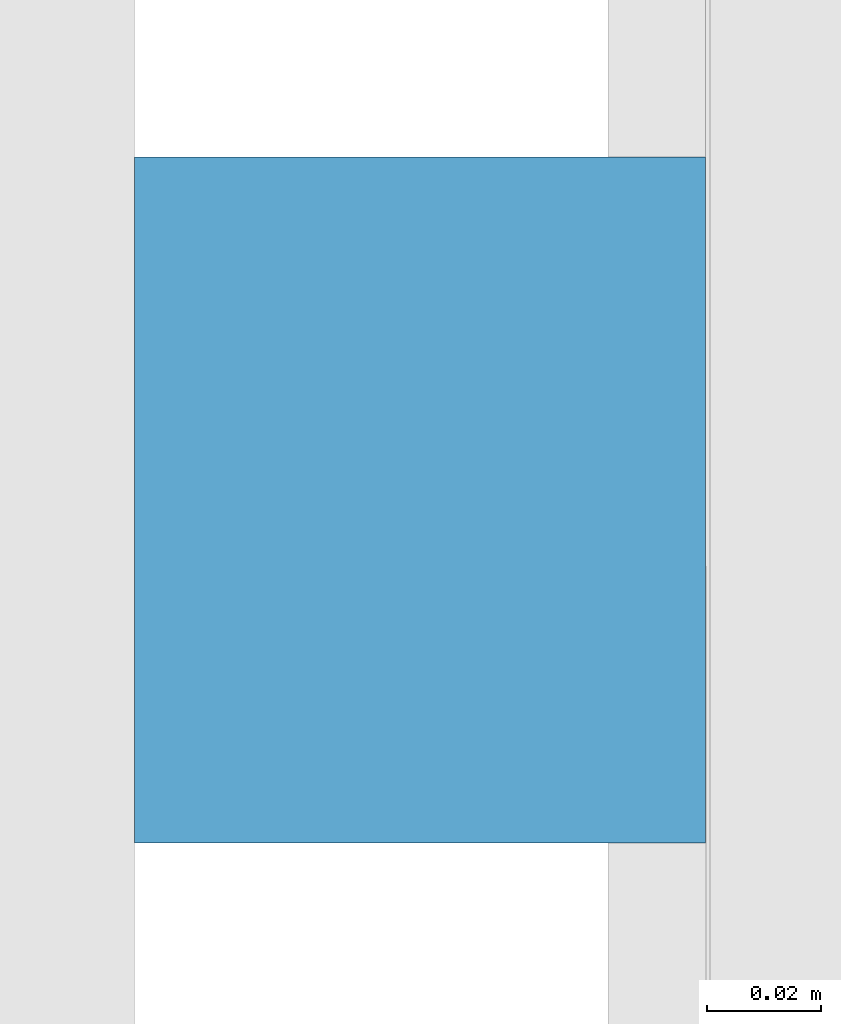
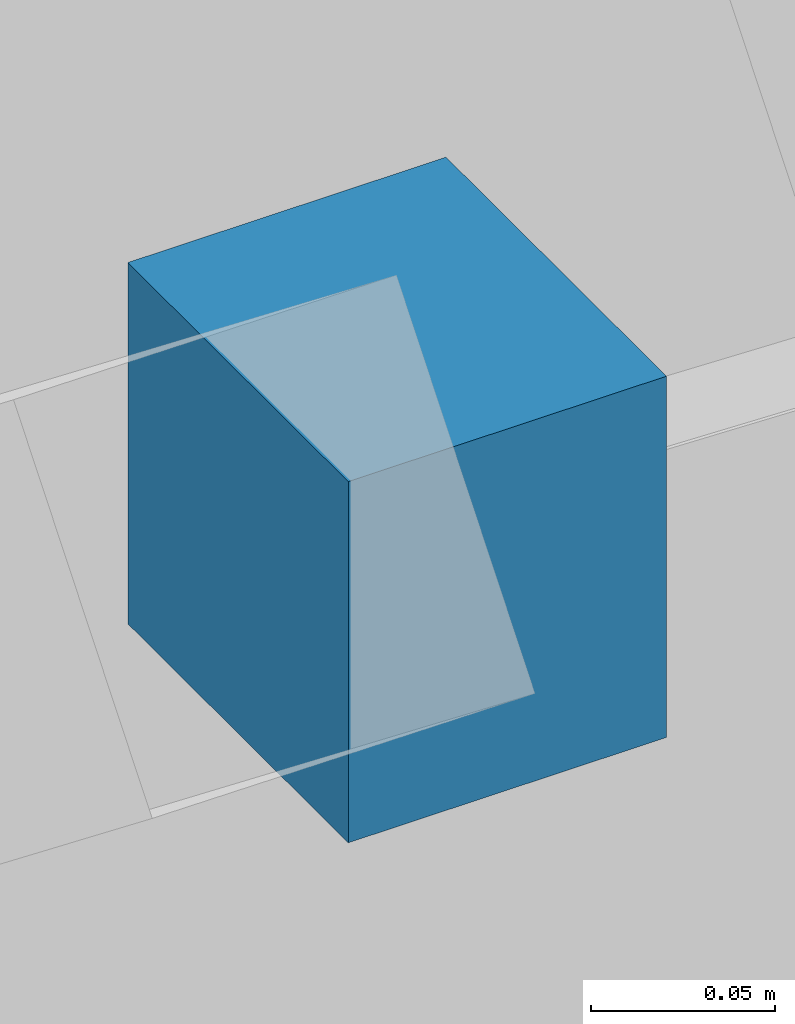
# One storey, part 26 of 29: 1 discrete accessory.
"""IFC4 building model written with IfcOpenShell, lengths in metres."""

from ifc_helpers import new_model, si_unit, direction, frame, origin, origin_2d, place, context, subcontext, project, spatial, rectangle, extrude, material, type_object, element, save


model = new_model("IFC4")

# Units and contexts
model_context = context("Model", 3, precision=1e-05, world=origin(), true_north=direction((0.0, 1.0)))
body_context = subcontext(model_context, "Body", "Model", "MODEL_VIEW")
ifc_project = project(units=[si_unit("LENGTHUNIT", "METRE"), si_unit("AREAUNIT", "SQUARE_METRE"), si_unit("VOLUMEUNIT", "CUBIC_METRE"), si_unit("PLANEANGLEUNIT", "RADIAN"), si_unit("MASSUNIT", "GRAM", prefix="KILO")], contexts=[model_context])

# Site, building, storey
site_placement = place(None, origin())
site = spatial("IfcSite", under=ifc_project, at=site_placement, CompositionType="ELEMENT")
building_placement = place(site_placement, origin())
building = spatial("IfcBuilding", under=site, at=building_placement, Name="Crosswind Convention Tower", CompositionType="ELEMENT")
storey_placement = place(building_placement, frame((0.0, 0.0, 60.89990234375)))
storey = spatial("IfcBuildingStorey", under=building, at=storey_placement, Name="L09", CompositionType="ELEMENT", Elevation=60.89990234375)

# Discrete accessory
ifc_material = material(Name="Stainless steel", Category="steel")
discrete_accessory_type = type_object("IfcDiscreteAccessoryType", Name="BAGUETTE BRACKET BK2", PredefinedType="BRACKET", material=ifc_material)
discrete_accessory_placement = place(storey_placement, frame((88.092041015625, 110.333740234375, 1.4775390625), z_axis=(0.0, 0.0, 1.0), x_axis=(0.0, -1.0, 0.0)))
element("IfcDiscreteAccessory", 1, at=discrete_accessory_placement, inside=storey, type_object=discrete_accessory_type, Name="BK2 baguette bracket", PredefinedType="BRACKET", context=body_context, shape_type="SweptSolid", body=[
    extrude(rectangle(XDim=0.1201171875, YDim=0.10009765625, at=origin_2d()), origin(), (0.0, 0.0, 1.0), 0.1201171875),
])

save(model, "model.ifc")
